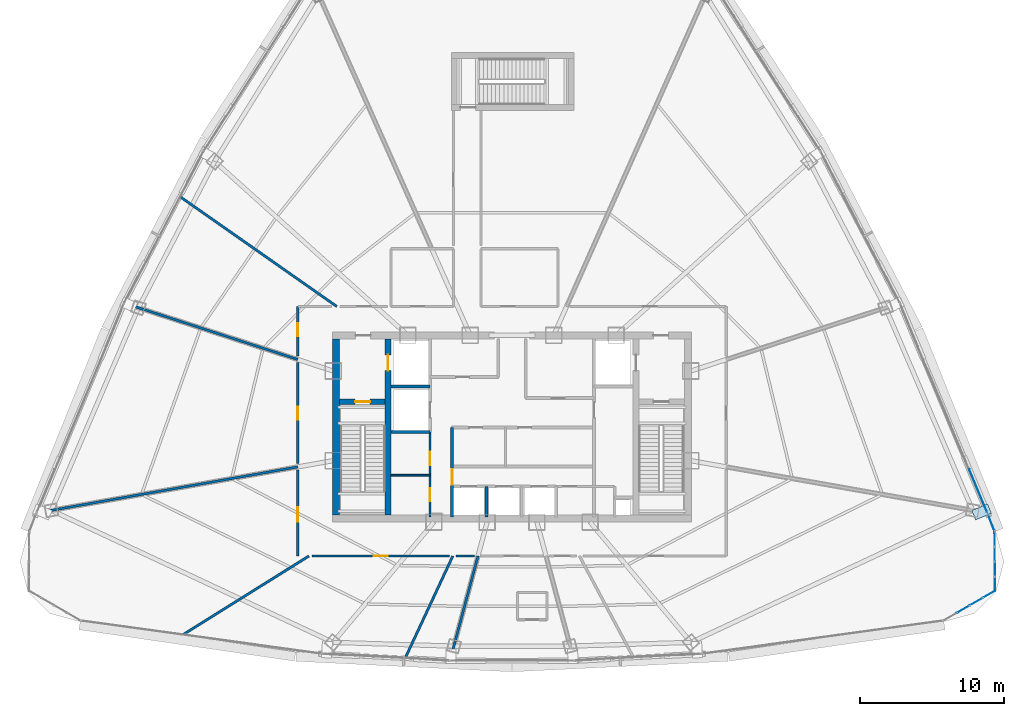
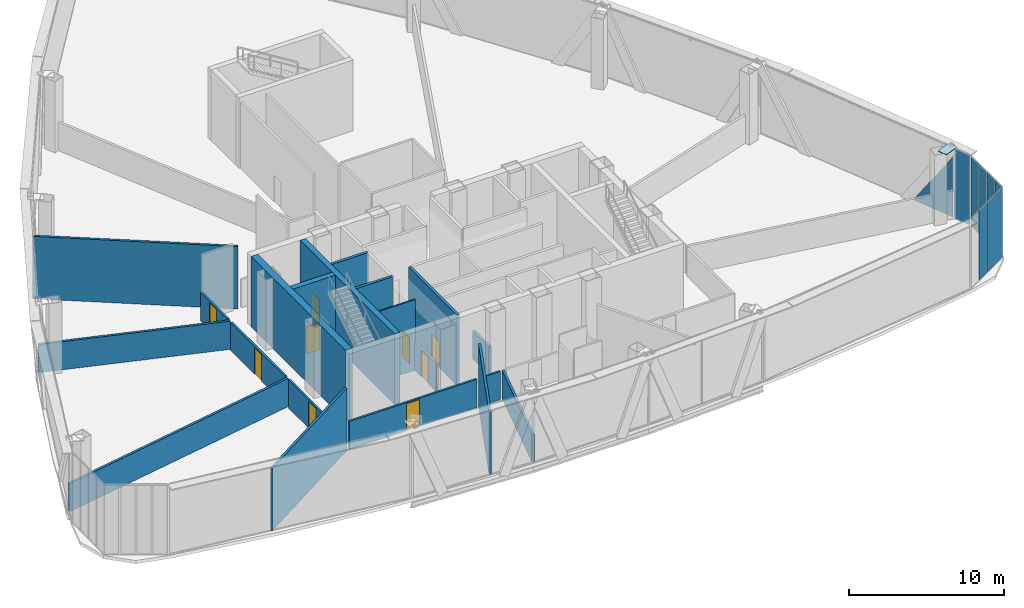
# One storey, part 31 of 38: 20 walls, 10 plates, 9 doors, 9 openings, 4 elements without a shape of their own.
"""IFC4 building model written with IfcOpenShell, lengths in metres."""

from ifc_helpers import new_model, si_unit, direction, frame, frame_2d, origin, origin_with_axes, origin_2d, place, context, subcontext, project, spatial, polyline, rectangle, outline, extrude, source, transform, mapped, material, layer, layer_set, type_object, element, fill, aggregate, save


model = new_model("IFC4")

# Units and contexts
model_context = context("Model", 3, precision=1e-05, world=origin(), true_north=direction((0.0, 1.0)))
body_context = subcontext(model_context, "Body", "Model", "MODEL_VIEW")
ifc_project = project(units=[si_unit("LENGTHUNIT", "METRE"), si_unit("AREAUNIT", "SQUARE_METRE"), si_unit("VOLUMEUNIT", "CUBIC_METRE"), si_unit("PLANEANGLEUNIT", "RADIAN"), si_unit("MASSUNIT", "GRAM", prefix="KILO"), si_unit("THERMODYNAMICTEMPERATUREUNIT", "KELVIN"), si_unit("POWERUNIT", "WATT")], contexts=[model_context])

# Site, building, storey
site_placement = place(None, origin())
site = spatial("IfcSite", under=ifc_project, at=site_placement, CompositionType="ELEMENT")
building_placement = place(site_placement, origin())
building = spatial("IfcBuilding", under=site, at=building_placement, Name="Yunzhuo Pagoda Commons", CompositionType="ELEMENT")
storey_placement = place(building_placement, frame((0.0, 0.0, 266.909912109375)))
storey = spatial("IfcBuildingStorey", under=building, at=storey_placement, Name="L67", CompositionType="ELEMENT", Elevation=266.909912109375)

# Curtain wall, plate
ifc_material_1 = material(Name="Anodized aluminium 6063-T6", Category="aluminium")
ifc_layer_1 = layer(ifc_material_1, 0.139892578125)
ifc_layer_set_1 = layer_set([ifc_layer_1], Name="Anodized aluminium 6063-T6")
curtain_wall_type_1 = type_object("IfcCurtainWallType", Name="CW-HI High-Zone Ribbon Curtain Wall", PredefinedType="NOTDEFINED", material=ifc_layer_set_1)
curtain_wall_1_placement = place(storey_placement, origin())
curtain_wall_1 = element("IfcCurtainWall", 1, at=curtain_wall_1_placement, inside=storey, type_object=curtain_wall_type_1, Name="L67 curtain wall CW-L67-F2B2", PredefinedType="NOTDEFINED")
ifc_material_2 = material(Name="Tempered low-e double glazing", Category="glass")
ifc_layer_2 = layer(ifc_material_2, 0.02587890625)
ifc_layer_set_2 = layer_set([ifc_layer_2], Name="Tempered low-e double glazing")
plate_type_1 = type_object("IfcPlateType", Name="CW-HI-P Low-E Double Glazing 26", PredefinedType="CURTAIN_PANEL", material=ifc_layer_set_2)
plate_1_placement = place(storey_placement, frame((80.31396484375, 29.418212890625, 2.428955078125), z_axis=(0.922909845486, 0.385016125772, 0.0), x_axis=(-0.385016125772, 0.922909845486, 0.0)))
plate_1 = element("IfcPlate", 2, at=plate_1_placement, type_object=plate_type_1, Name="CW panel 1.1 lite 1", PredefinedType="CURTAIN_PANEL", context=body_context, shape_type="SweptSolid", body=[
    extrude(outline(polyline([(-1.605224609375, -2.373779296875), (1.605224609375, -2.373779296875), (-1.605224609375, 2.3740234375), (-1.605224609375, -2.373779296875)])), origin(), (0.0, 0.0, 1.0), 0.028076171875),
])
aggregate(curtain_wall_1, [plate_1])

# Plate
ifc_material_3 = material(Name="Structural steel Q355B", Category="steel")
ifc_layer_3 = layer(ifc_material_3, 0.028076171875)
ifc_layer_set_3 = layer_set([ifc_layer_3], Name="Structural steel Q355B")
plate_type_2 = type_object("IfcPlateType", Name="SP-ND1 Lattice Node Cap Plate 800x500x28", PredefinedType="USERDEFINED", material=ifc_layer_set_3)
shared_shape_1 = source(origin(), body_context, "Body", "SweptSolid", [
    extrude(rectangle(XDim=0.699951171875, YDim=1.180419921875, at=origin_2d()), origin(), (0.0, 0.0, 1.0), 0.035888671875),
])
plate_2_placement = place(storey_placement, frame((80.55908203125, 27.958984375, 5.5322265625), z_axis=(0.0, 0.0, 1.0), x_axis=(-0.385020291668, 0.922908107562, 0.0)))
element("IfcPlate", 3, at=plate_2_placement, inside=storey, type_object=plate_type_2, Name="L67 setback lattice tie plate F2.1L", ObjectType="STIFFENER_PLATE", PredefinedType="USERDEFINED", context=body_context, shape_type="MappedRepresentation", body=[
    mapped(shared_shape_1, transform((0.0, 0.0, 0.0), scale=1.0)),
])

# Curtain wall, plate
curtain_wall_2_placement = place(storey_placement, origin())
curtain_wall_2 = element("IfcCurtainWall", 4, at=curtain_wall_2_placement, inside=storey, type_object=curtain_wall_type_1, Name="L67 curtain wall CW-L67-F2B1", PredefinedType="NOTDEFINED")
shared_shape_2 = source(origin(), body_context, "Body", "SweptSolid", [
    extrude(rectangle(XDim=1.1962890625, YDim=0.028076171875, at=origin_2d()), origin(), (0.0, 0.0, 1.0), 5.4599609375),
])
plate_3_placement = place(storey_placement, frame((81.230712890625, 27.202392578125, 0.05517578125), z_axis=(0.0, 0.0, 1.0), x_axis=(-0.358123676077, 0.933674157634, 0.0)))
plate_3 = element("IfcPlate", 5, at=plate_3_placement, type_object=plate_type_1, Name="CW panel 1.1", PredefinedType="CURTAIN_PANEL", context=body_context, shape_type="MappedRepresentation", body=[
    mapped(shared_shape_2, transform((0.0, 0.0, 0.0), scale=1.0)),
])
aggregate(curtain_wall_2, [plate_3])

ifc_layer_4 = layer(ifc_material_1, 0.1298828125)
ifc_layer_set_4 = layer_set([ifc_layer_4], Name="Anodized aluminium 6063-T6")
curtain_wall_type_2 = type_object("IfcCurtainWallType", Name="CW-VTX Rounded Corner Curtain Wall", PredefinedType="NOTDEFINED", material=ifc_layer_set_4)
curtain_wall_3_placement = place(storey_placement, origin())
curtain_wall_3 = element("IfcCurtainWall", 6, at=curtain_wall_3_placement, inside=storey, type_object=curtain_wall_type_2, Name="L67 curtain wall CW-L67-VTX2S1", PredefinedType="NOTDEFINED")
ifc_layer_5 = layer(ifc_material_2, 0.02587890625)
ifc_layer_set_5 = layer_set([ifc_layer_5], Name="Tempered low-e double glazing")
plate_type_3 = type_object("IfcPlateType", Name="CW-VTX-P Low-E Double Glazing 26", PredefinedType="CURTAIN_PANEL", material=ifc_layer_set_5)
shared_shape_3 = source(origin(), body_context, "Body", "SweptSolid", [
    extrude(rectangle(XDim=0.955810546875, YDim=0.028076171875, at=origin_2d()), origin(), (0.0, 0.0, 1.0), 5.4599609375),
])
plate_4_placement = place(storey_placement, frame((81.06005859375, 22.2373046875, 0.05517578125), z_axis=(0.0, 0.0, 1.0), x_axis=(0.865431780539, 0.501026778958, 0.0)))
plate_4 = element("IfcPlate", 7, at=plate_4_placement, type_object=plate_type_3, Name="CW panel 4.1", PredefinedType="CURTAIN_PANEL", context=body_context, shape_type="MappedRepresentation", body=[
    mapped(shared_shape_3, transform((0.0, 0.0, 0.0), scale=1.0)),
])

# Curtain wall, plates
curtain_wall_4_placement = place(storey_placement, origin())
curtain_wall_4 = element("IfcCurtainWall", 8, at=curtain_wall_4_placement, inside=storey, type_object=curtain_wall_type_2, Name="L67 curtain wall CW-L67-VTX2S2", PredefinedType="NOTDEFINED")
plate_5_placement = place(storey_placement, frame((81.4794921875, 22.9677734375, 0.05517578125), z_axis=(0.0, 0.0, 1.0), x_axis=(-0.003587744782, 0.999993564023, 0.0)))
plate_5 = element("IfcPlate", 9, at=plate_5_placement, type_object=plate_type_3, Name="CW panel 1.1", PredefinedType="CURTAIN_PANEL", context=body_context, shape_type="MappedRepresentation", body=[
    mapped(shared_shape_3, transform((0.0, 0.0, 0.0), scale=1.0)),
])
plate_6_placement = place(storey_placement, frame((81.46826171875, 26.054931640625, 0.05517578125), z_axis=(0.0, 0.0, 1.0), x_axis=(-0.003587744782, 0.999993564023, 0.0)))
plate_6 = element("IfcPlate", 10, at=plate_6_placement, type_object=plate_type_3, Name="CW panel 4.1", PredefinedType="CURTAIN_PANEL", context=body_context, shape_type="MappedRepresentation", body=[
    mapped(shared_shape_3, transform((0.0, 0.0, 0.0), scale=1.0)),
])

# Plate
shared_shape_4 = source(origin(), body_context, "Body", "SweptSolid", [
    extrude(rectangle(XDim=0.983154296875, YDim=0.028076171875, at=origin_2d()), origin(), (0.0, 0.0, 1.0), 5.4599609375),
])
plate_7_placement = place(storey_placement, frame((79.27490234375, 21.203857421875, 0.05517578125), z_axis=(0.0, 0.0, 1.0), x_axis=(0.865431780539, 0.501026778958, 0.0)))
plate_7 = element("IfcPlate", 11, at=plate_7_placement, type_object=plate_type_3, Name="CW panel 2.1", PredefinedType="CURTAIN_PANEL", context=body_context, shape_type="MappedRepresentation", body=[
    mapped(shared_shape_4, transform((0.0, 0.0, 0.0), scale=1.0)),
])

plate_8_placement = place(storey_placement, frame((80.17333984375, 21.72412109375, 0.05517578125), z_axis=(0.0, 0.0, 1.0), x_axis=(0.865431780539, 0.501026778958, 0.0)))
plate_8 = element("IfcPlate", 12, at=plate_8_placement, type_object=plate_type_3, Name="CW panel 3.1", PredefinedType="CURTAIN_PANEL", context=body_context, shape_type="MappedRepresentation", body=[
    mapped(shared_shape_4, transform((0.0, 0.0, 0.0), scale=1.0)),
])

aggregate(curtain_wall_3, [plate_7, plate_8, plate_4])

plate_9_placement = place(storey_placement, frame((81.475830078125, 23.9921875, 0.05517578125), z_axis=(0.0, 0.0, 1.0), x_axis=(-0.003587744782, 0.999993564023, 0.0)))
plate_9 = element("IfcPlate", 13, at=plate_9_placement, type_object=plate_type_3, Name="CW panel 2.1", PredefinedType="CURTAIN_PANEL", context=body_context, shape_type="MappedRepresentation", body=[
    mapped(shared_shape_4, transform((0.0, 0.0, 0.0), scale=1.0)),
])

plate_10_placement = place(storey_placement, frame((81.471923828125, 25.030517578125, 0.05517578125), z_axis=(0.0, 0.0, 1.0), x_axis=(-0.003587744782, 0.999993564023, 0.0)))
plate_10 = element("IfcPlate", 14, at=plate_10_placement, type_object=plate_type_3, Name="CW panel 3.1", PredefinedType="CURTAIN_PANEL", context=body_context, shape_type="MappedRepresentation", body=[
    mapped(shared_shape_4, transform((0.0, 0.0, 0.0), scale=1.0)),
])

aggregate(curtain_wall_4, [plate_5, plate_9, plate_10, plate_6])

# Wall
ifc_material_4 = material(Name="Concrete C50", Category="concrete")
ifc_layer_6 = layer(ifc_material_4, 0.5)
ifc_layer_set_6 = layer_set([ifc_layer_6], Name="Concrete C50")
wall_type_1 = type_object("IfcWallType", Name="W-C03 Upper Core Shear Wall 500", PredefinedType="SHEAR", material=ifc_layer_set_6)
wall_1_placement = place(storey_placement, frame((35.800048828125, 27.75, 0.0), z_axis=(0.0, 0.0, 1.0), x_axis=(0.0, 1.0, 0.0)))
element("IfcWall", 15, at=wall_1_placement, inside=storey, type_object=wall_type_1, Name="L67 core shear wall W", PredefinedType="SHEAR", context=body_context, shape_type="SweptSolid", body=[
    extrude(rectangle(XDim=12.199951171875, YDim=0.5, at=frame_2d((6.10009765625, 0.0))), origin(), (0.0, 0.0, 1.0), 5.570068359375),
])

# Wall, openings, doors
ifc_material_5 = material(Name="Gypsum plasterboard on acoustic stud")
ifc_layer_7 = layer(ifc_material_5, 0.14990234375)
ifc_layer_set_7 = layer_set([ifc_layer_7], Name="Gypsum plasterboard on acoustic stud")
wall_type_2 = type_object("IfcWallType", Name="W-COR3 High-Zone Rated Corridor Wall 150", PredefinedType="PARTITIONING", material=ifc_layer_set_7)
wall_2_placement = place(storey_placement, frame((42.320068359375, 27.60009765625, 0.0), z_axis=(0.0, 0.0, 1.0), x_axis=(0.0, 1.0, 0.0)))
wall_2 = element("IfcWall", 16, at=wall_2_placement, inside=storey, type_object=wall_type_2, Name="L67 interior wall IW-L67-CSWE", PredefinedType="PARTITIONING", context=body_context, shape_type="SweptSolid", body=[
    extrude(rectangle(XDim=5.89990234375, YDim=0.14990234375, at=frame_2d((2.949951171875, 0.0))), origin(), (0.0, 0.0, 1.0), 2.219970703125),
])
opening_1_placement = place(wall_2_placement, frame((1.10009765625, 0.0, 0.0)))
opening_1 = element("IfcOpeningElement", 17, at=opening_1_placement, cuts=wall_2, Name="Opening D-03", PredefinedType="OPENING", context=body_context, shape_type="SweptSolid", body=[
    extrude(rectangle(XDim=0.89990234375, YDim=2.10009765625, at=frame_2d((0.449951171875, 1.050048828125))), frame((0.0, 0.0849609375, 0.0), z_axis=(0.0, -1.0, 0.0), x_axis=(1.0, 0.0, 0.0)), (0.0, 0.0, 1.0), 0.169921875),
])
opening_2_placement = place(wall_2_placement, frame((3.60009765625, 0.0, 0.0)))
opening_2 = element("IfcOpeningElement", 18, at=opening_2_placement, cuts=wall_2, Name="Opening D-11", PredefinedType="OPENING", context=body_context, shape_type="SweptSolid", body=[
    extrude(rectangle(XDim=0.93994140625, YDim=2.10009765625, at=frame_2d((0.469970703125, 1.050048828125))), frame((0.0, 0.0849609375, 0.0), z_axis=(0.0, -1.0, 0.0), x_axis=(1.0, 0.0, 0.0)), (0.0, 0.0, 1.0), 0.169921875),
])
ifc_material_6 = material(Name="Galvanized fire-resisting metal leaf")
door_type_1 = type_object("IfcDoorType", Name="D-03 Core Service Fire Door 900x2100", OperationType="NOTDEFINED", PredefinedType="DOOR", material=ifc_material_6)
shared_shape_5 = source(origin(), body_context, "Body", "SweptSolid", [
    extrude(rectangle(XDim=0.89990234375, YDim=2.10009765625, at=frame_2d((0.449951171875, 1.050048828125))), frame((0.0, 0.02490234375, 0.0), z_axis=(0.0, -1.0, 0.0), x_axis=(1.0, 0.0, 0.0)), (0.0, 0.0, 1.0), 0.050048828125),
])
door_1_placement = place(opening_1_placement, origin_with_axes())
door_1 = element("IfcDoor", 19, at=door_1_placement, inside=storey, type_object=door_type_1, Name="L67 housekeeping door", OperationType="SINGLE_SWING_RIGHT", OverallHeight=2.10009765625, OverallWidth=0.89990234375, PredefinedType="DOOR", context=body_context, shape_type="MappedRepresentation", body=[
    mapped(shared_shape_5, transform((0.0, 0.0, 0.0), scale=1.0)),
])
fill(opening_1, door_1)
door_type_2 = type_object("IfcDoorType", Name="D-11 Accessible Washroom Fire Door 940x2100", OperationType="NOTDEFINED", PredefinedType="DOOR", material=ifc_material_6)
shared_shape_6 = source(origin(), body_context, "Body", "SweptSolid", [
    extrude(rectangle(XDim=0.93994140625, YDim=2.10009765625, at=frame_2d((0.469970703125, 1.050048828125))), frame((0.0, 0.02490234375, 0.0), z_axis=(0.0, -1.0, 0.0), x_axis=(1.0, 0.0, 0.0)), (0.0, 0.0, 1.0), 0.050048828125),
])
door_2_placement = place(opening_2_placement, origin_with_axes())
door_2 = element("IfcDoor", 20, at=door_2_placement, inside=storey, type_object=door_type_2, Name="L67 core WC door", OperationType="SINGLE_SWING_RIGHT", OverallHeight=2.10009765625, OverallWidth=0.93994140625, PredefinedType="DOOR", context=body_context, shape_type="MappedRepresentation", body=[
    mapped(shared_shape_6, transform((0.0, 0.0, 0.0), scale=1.0)),
])
fill(opening_2, door_2)

# Wall, opening, door
wall_3_placement = place(storey_placement, frame((33.14990234375, 24.89990234375, 0.0), z_axis=(0.0, 0.0, 1.0), x_axis=(0.0, 1.0, 0.0)))
wall_3 = element("IfcWall", 21, at=wall_3_placement, inside=storey, type_object=wall_type_2, Name="L67 interior wall IW-L67-CWL01", PredefinedType="PARTITIONING", context=body_context, shape_type="SweptSolid", body=[
    extrude(rectangle(XDim=5.958251953125, YDim=0.14990234375, at=frame_2d((2.97900390625, 0.0))), origin(), (0.0, 0.0, 1.0), 2.219970703125),
])
opening_3_placement = place(wall_3_placement, frame((2.3857421875, 0.0, 0.0)))
opening_3 = element("IfcOpeningElement", 22, at=opening_3_placement, cuts=wall_3, Name="Opening D-08", PredefinedType="OPENING", context=body_context, shape_type="SweptSolid", body=[
    extrude(rectangle(XDim=0.97998046875, YDim=2.1201171875, at=frame_2d((0.489990234375, 1.06005859375))), frame((0.0, 0.0849609375, 0.0), z_axis=(0.0, -1.0, 0.0), x_axis=(1.0, 0.0, 0.0)), (0.0, 0.0, 1.0), 0.169921875),
])
door_type_3 = type_object("IfcDoorType", Name="D-08 High-Zone Suite Entrance Fire Door 980x2120", OperationType="NOTDEFINED", PredefinedType="DOOR", material=ifc_material_6)
shared_shape_7 = source(origin(), body_context, "Body", "SweptSolid", [
    extrude(rectangle(XDim=0.97998046875, YDim=2.1201171875, at=frame_2d((0.489990234375, 1.06005859375))), frame((0.0, 0.02490234375, 0.0), z_axis=(0.0, -1.0, 0.0), x_axis=(1.0, 0.0, 0.0)), (0.0, 0.0, 1.0), 0.050048828125),
])
door_3_placement = place(opening_3_placement, origin_with_axes())
door_3 = element("IfcDoor", 23, at=door_3_placement, inside=storey, type_object=door_type_3, Name="L67 unit 07 entrance door", OperationType="SINGLE_SWING_RIGHT", OverallHeight=2.1201171875, OverallWidth=0.97998046875, PredefinedType="DOOR", context=body_context, shape_type="MappedRepresentation", body=[
    mapped(shared_shape_7, transform((0.0, 0.0, 0.0), scale=1.0)),
])
fill(opening_3, door_3)

wall_4_placement = place(storey_placement, frame((33.14990234375, 31.30126953125, 0.0), z_axis=(0.0, 0.0, 1.0), x_axis=(0.0, 1.0, 0.0)))
wall_4 = element("IfcWall", 24, at=wall_4_placement, inside=storey, type_object=wall_type_2, Name="L67 interior wall IW-L67-CWL02", PredefinedType="PARTITIONING", context=body_context, shape_type="SweptSolid", body=[
    extrude(rectangle(XDim=7.004150390625, YDim=0.14990234375, at=frame_2d((3.501953125, 0.0))), origin(), (0.0, 0.0, 1.0), 2.219970703125),
])
opening_4_placement = place(wall_4_placement, frame((3.0419921875, 0.0, 0.0)))
opening_4 = element("IfcOpeningElement", 25, at=opening_4_placement, cuts=wall_4, Name="Opening D-04", PredefinedType="OPENING", context=body_context, shape_type="SweptSolid", body=[
    extrude(rectangle(XDim=0.919921875, YDim=2.10009765625, at=frame_2d((0.4599609375, 1.050048828125))), frame((0.0, 0.0849609375, 0.0), z_axis=(0.0, -1.0, 0.0), x_axis=(1.0, 0.0, 0.0)), (0.0, 0.0, 1.0), 0.169921875),
])
ifc_material_7 = material(Name="Powder-coated aluminium and timber acoustic leaf", Category="wood")
door_type_4 = type_object("IfcDoorType", Name="D-04 Bedroom & Study Interior Door 920x2100", OperationType="NOTDEFINED", PredefinedType="DOOR", material=ifc_material_7)
shared_shape_8 = source(origin(), body_context, "Body", "SweptSolid", [
    extrude(rectangle(XDim=0.919921875, YDim=2.10009765625, at=frame_2d((0.4599609375, 1.050048828125))), frame((0.0, 0.02490234375, 0.0), z_axis=(0.0, -1.0, 0.0), x_axis=(1.0, 0.0, 0.0)), (0.0, 0.0, 1.0), 0.050048828125),
])
door_4_placement = place(opening_4_placement, origin_with_axes())
door_4 = element("IfcDoor", 26, at=door_4_placement, inside=storey, type_object=door_type_4, Name="L67 seminar room 06 door", OperationType="SINGLE_SWING_LEFT", OverallHeight=2.10009765625, OverallWidth=0.919921875, PredefinedType="DOOR", context=body_context, shape_type="MappedRepresentation", body=[
    mapped(shared_shape_8, transform((0.0, 0.0, 0.0), scale=1.0)),
])
fill(opening_4, door_4)

wall_5_placement = place(storey_placement, frame((33.14990234375, 38.75634765625, 0.0), z_axis=(0.0, 0.0, 1.0), x_axis=(0.0, 1.0, 0.0)))
wall_5 = element("IfcWall", 27, at=wall_5_placement, inside=storey, type_object=wall_type_2, Name="L67 interior wall IW-L67-CWL03", PredefinedType="PARTITIONING", context=body_context, shape_type="SweptSolid", body=[
    extrude(rectangle(XDim=3.443603515625, YDim=0.14990234375, at=frame_2d((1.7216796875, 0.0))), origin(), (0.0, 0.0, 1.0), 2.219970703125),
])
opening_5_placement = place(wall_5_placement, frame((1.376220703125, 0.0, 0.0)))
opening_5 = element("IfcOpeningElement", 28, at=opening_5_placement, cuts=wall_5, Name="Opening D-04", PredefinedType="OPENING", context=body_context, shape_type="SweptSolid", body=[
    extrude(rectangle(XDim=0.919921875, YDim=2.10009765625, at=frame_2d((0.4599609375, 1.050048828125))), frame((0.0, 0.0849609375, 0.0), z_axis=(0.0, -1.0, 0.0), x_axis=(1.0, 0.0, 0.0)), (0.0, 0.0, 1.0), 0.169921875),
])
door_5_placement = place(opening_5_placement, origin_with_axes())
door_5 = element("IfcDoor", 29, at=door_5_placement, inside=storey, type_object=door_type_4, Name="L67 seminar room 05 door", OperationType="SINGLE_SWING_RIGHT", OverallHeight=2.10009765625, OverallWidth=0.919921875, PredefinedType="DOOR", context=body_context, shape_type="MappedRepresentation", body=[
    mapped(shared_shape_8, transform((0.0, 0.0, 0.0), scale=1.0)),
])
fill(opening_5, door_5)

# Wall
wall_6_placement = place(storey_placement, frame((45.414306640625, 24.89990234375, 0.0), z_axis=(0.0, 0.0, 1.0), x_axis=(-1.0, 0.0, 0.0)))
element("IfcWall", 30, at=wall_6_placement, inside=storey, type_object=wall_type_2, Name="L67 interior wall IW-L67-CWL15", PredefinedType="PARTITIONING", context=body_context, shape_type="SweptSolid", body=[
    extrude(rectangle(XDim=1.298095703125, YDim=0.14990234375, at=frame_2d((0.64892578125, 0.0))), origin(), (0.0, 0.0, 1.0), 2.219970703125),
])

# Wall, opening, door
wall_7_placement = place(storey_placement, frame((43.65380859375, 24.89990234375, 0.0), z_axis=(0.0, 0.0, 1.0), x_axis=(-1.0, 0.0, 0.0)))
wall_7 = element("IfcWall", 31, at=wall_7_placement, inside=storey, type_object=wall_type_2, Name="L67 interior wall IW-L67-CWL16", PredefinedType="PARTITIONING", context=body_context, shape_type="SweptSolid", body=[
    extrude(rectangle(XDim=9.516845703125, YDim=0.14990234375, at=frame_2d((4.75830078125, 0.0))), origin(), (0.0, 0.0, 1.0), 2.219970703125),
])
opening_6_placement = place(wall_7_placement, frame((4.27197265625, 0.0, 0.0)))
opening_6 = element("IfcOpeningElement", 32, at=opening_6_placement, cuts=wall_7, Name="Opening D-08", PredefinedType="OPENING", context=body_context, shape_type="SweptSolid", body=[
    extrude(rectangle(XDim=0.97998046875, YDim=2.1201171875, at=frame_2d((0.489990234375, 1.06005859375))), frame((0.0, 0.0849609375, 0.0), z_axis=(0.0, -1.0, 0.0), x_axis=(1.0, 0.0, 0.0)), (0.0, 0.0, 1.0), 0.169921875),
])
door_6_placement = place(opening_6_placement, origin_with_axes())
door_6 = element("IfcDoor", 33, at=door_6_placement, inside=storey, type_object=door_type_3, Name="L67 Academic Reading Commons 2 door", OperationType="SINGLE_SWING_LEFT", OverallHeight=2.1201171875, OverallWidth=0.97998046875, PredefinedType="DOOR", context=body_context, shape_type="MappedRepresentation", body=[
    mapped(shared_shape_7, transform((0.0, 0.0, 0.0), scale=1.0)),
])
fill(opening_6, door_6)

# Walls
ifc_layer_8 = layer(ifc_material_5, 0.1201171875)
ifc_layer_set_8 = layer_set([ifc_layer_8], Name="Gypsum plasterboard on acoustic stud")
wall_type_3 = type_object("IfcWallType", Name="W-PRT1 Suite & Bathroom Partition 120", PredefinedType="PARTITIONING", material=ifc_layer_set_8)
wall_8_placement = place(storey_placement, frame((39.60009765625, 30.5, 0.0), z_axis=(0.0, 0.0, 1.0), x_axis=(1.0, 0.0, 0.0)))
element("IfcWall", 34, at=wall_8_placement, inside=storey, type_object=wall_type_3, Name="L67 interior wall IW-L67-CB1", PredefinedType="PARTITIONING", context=body_context, shape_type="SweptSolid", body=[
    extrude(rectangle(XDim=2.719970703125, YDim=0.1201171875, at=frame_2d((1.35986328125, 0.0))), origin(), (0.0, 0.0, 1.0), 5.570068359375),
])
ifc_layer_9 = layer(ifc_material_5, 0.169921875)
ifc_layer_set_9 = layer_set([ifc_layer_9], Name="Gypsum plasterboard on acoustic stud")
wall_type_4 = type_object("IfcWallType", Name="W-PRT4 High-Zone Demising Wall 170", PredefinedType="PARTITIONING", material=ifc_layer_set_9)
wall_9_placement = place(storey_placement, frame((35.860595703125, 42.199951171875, 0.0), z_axis=(0.0, 0.0, 1.0), x_axis=(-0.819147381932, 0.57358309483, 0.0)))
element("IfcWall", 35, at=wall_9_placement, inside=storey, type_object=wall_type_4, Name="L67 interior wall IW-L67-RAD04", PredefinedType="PARTITIONING", context=body_context, shape_type="SweptSolid", body=[
    extrude(rectangle(XDim=13.29736328125, YDim=0.169921875, at=frame_2d((6.648681640625, 0.0))), origin(), (0.0, 0.0, 1.0), 4.920166015625),
])
wall_10_placement = place(storey_placement, frame((33.14990234375, 38.525146484375, 0.0), z_axis=(0.0, 0.0, 1.0), x_axis=(-0.951057436246, 0.309014163043, 0.0)))
element("IfcWall", 36, at=wall_10_placement, inside=storey, type_object=wall_type_4, Name="L67 interior wall IW-L67-RAD05", PredefinedType="PARTITIONING", context=body_context, shape_type="SweptSolid", body=[
    extrude(rectangle(XDim=12.6669921875, YDim=0.169921875, at=frame_2d((6.33349609375, 0.0))), origin(), (0.0, 0.0, 1.0), 2.219970703125),
])
wall_11_placement = place(storey_placement, frame((33.14990234375, 31.08154296875, 0.0), z_axis=(0.0, 0.0, 1.0), x_axis=(-0.984806394916, -0.173655879639, 0.0)))
element("IfcWall", 37, at=wall_11_placement, inside=storey, type_object=wall_type_4, Name="L67 interior wall IW-L67-RAD06", PredefinedType="PARTITIONING", context=body_context, shape_type="SweptSolid", body=[
    extrude(rectangle(XDim=18.3974609375, YDim=0.169921875, at=frame_2d((9.19873046875, 0.0))), origin(), (0.0, 0.0, 1.0), 2.219970703125),
])
wall_12_placement = place(storey_placement, frame((33.9169921875, 24.89990234375, 0.0), z_axis=(0.0, 0.0, 1.0), x_axis=(-0.848046300914, -0.529922137211, 0.0)))
element("IfcWall", 38, at=wall_12_placement, inside=storey, type_object=wall_type_4, Name="L67 interior wall IW-L67-RAD07", PredefinedType="PARTITIONING", context=body_context, shape_type="SweptSolid", body=[
    extrude(rectangle(XDim=10.28662109375, YDim=0.169921875, at=frame_2d((5.143310546875, 0.0))), origin(), (0.0, 0.0, 1.0), 4.920166015625),
])
wall_13_placement = place(storey_placement, frame((43.896484375, 24.89990234375, 0.0), z_axis=(0.0, 0.0, 1.0), x_axis=(-0.422631029952, -0.906301833012, 0.0)))
element("IfcWall", 39, at=wall_13_placement, inside=storey, type_object=wall_type_4, Name="L67 interior wall IW-L67-RAD08", PredefinedType="PARTITIONING", context=body_context, shape_type="SweptSolid", body=[
    extrude(rectangle(XDim=7.827392578125, YDim=0.169921875, at=frame_2d((3.91357421875, 0.0))), origin(), (0.0, 0.0, 1.0), 4.920166015625),
])
wall_14_placement = place(storey_placement, frame((45.64208984375, 24.89990234375, 0.0), z_axis=(0.0, 0.0, 1.0), x_axis=(-0.258810769147, -0.965928043787, 0.0)))
element("IfcWall", 40, at=wall_14_placement, inside=storey, type_object=wall_type_4, Name="L67 interior wall IW-L67-RAD09", PredefinedType="PARTITIONING", context=body_context, shape_type="SweptSolid", body=[
    extrude(rectangle(XDim=7.516357421875, YDim=0.169921875, at=frame_2d((3.75830078125, 0.0))), origin(), (0.0, 0.0, 1.0), 2.219970703125),
])

# Wall, opening, door
ifc_material_8 = material(Name="Concrete C60", Category="concrete")
ifc_layer_10 = layer(ifc_material_8, 0.39990234375)
ifc_layer_set_10 = layer_set([ifc_layer_10], Name="Concrete C60")
wall_type_5 = type_object("IfcWallType", Name="W-S01 Internal Core Shear Web 400", PredefinedType="SHEAR", material=ifc_layer_set_10)
wall_15_placement = place(storey_placement, frame((39.39990234375, 27.75, 0.0), z_axis=(0.0, 0.0, 1.0), x_axis=(0.0, 1.0, 0.0)))
wall_15 = element("IfcWall", 41, at=wall_15_placement, inside=storey, type_object=wall_type_5, Name="L67 core shear wall WEBW", PredefinedType="SHEAR", context=body_context, shape_type="SweptSolid", body=[
    extrude(rectangle(XDim=12.199951171875, YDim=0.39990234375, at=frame_2d((6.10009765625, 0.0))), origin(), (0.0, 0.0, 1.0), 5.570068359375),
])
opening_7_placement = place(wall_15_placement, frame((10.0, 0.0, 0.0)))
opening_7 = element("IfcOpeningElement", 42, at=opening_7_placement, cuts=wall_15, Name="Opening LD-01", PredefinedType="OPENING", context=body_context, shape_type="SweptSolid", body=[
    extrude(rectangle(XDim=1.10009765625, YDim=2.10009765625, at=frame_2d((0.550048828125, 1.050048828125))), frame((0.0, 0.2099609375, 0.0), z_axis=(0.0, -1.0, 0.0), x_axis=(1.0, 0.0, 0.0)), (0.0, 0.0, 1.0), 0.419921875),
])
door_type_5 = type_object("IfcDoorType", Name="LD-01 Firefighting Lift Landing Door 1100x2100", OperationType="DOUBLE_DOOR_SLIDING", PredefinedType="DOOR", material=ifc_material_6)
shared_shape_9 = source(origin(), body_context, "Body", "SweptSolid", [
    extrude(rectangle(XDim=1.10009765625, YDim=2.10009765625, at=frame_2d((0.550048828125, 1.050048828125))), frame((0.0, 0.02490234375, 0.0), z_axis=(0.0, -1.0, 0.0), x_axis=(1.0, 0.0, 0.0)), (0.0, 0.0, 1.0), 0.050048828125),
])
door_7_placement = place(opening_7_placement, frame((1.10009765625, 0.0, 0.0), z_axis=(0.0, 0.0, 1.0), x_axis=(-1.0, 0.0, 0.0)))
door_7 = element("IfcDoor", 43, at=door_7_placement, inside=storey, type_object=door_type_5, Name="L67 Firefighting lift FL-1 landing door", OperationType="DOUBLE_DOOR_SLIDING", OverallHeight=2.10009765625, OverallWidth=1.10009765625, PredefinedType="DOOR", context=body_context, shape_type="MappedRepresentation", body=[
    mapped(shared_shape_9, transform((0.0, 0.0, 0.0), scale=1.0)),
])
fill(opening_7, door_7)

wall_16_placement = place(storey_placement, frame((36.050048828125, 35.60009765625, 0.0), z_axis=(0.0, 0.0, 1.0), x_axis=(1.0, 0.0, 0.0)))
wall_16 = element("IfcWall", 44, at=wall_16_placement, inside=storey, type_object=wall_type_5, Name="L67 core shear wall STW", PredefinedType="SHEAR", context=body_context, shape_type="SweptSolid", body=[
    extrude(rectangle(XDim=3.14990234375, YDim=0.39990234375, at=frame_2d((1.574951171875, 0.0))), origin(), (0.0, 0.0, 1.0), 5.570068359375),
])
opening_8_placement = place(wall_16_placement, frame((1.070068359375, 0.0, 0.0)))
opening_8 = element("IfcOpeningElement", 45, at=opening_8_placement, cuts=wall_16, Name="Opening D-01", PredefinedType="OPENING", context=body_context, shape_type="SweptSolid", body=[
    extrude(rectangle(XDim=1.050048828125, YDim=2.10009765625, at=frame_2d((0.52490234375, 1.050048828125))), frame((0.0, 0.2099609375, 0.0), z_axis=(0.0, -1.0, 0.0), x_axis=(1.0, 0.0, 0.0)), (0.0, 0.0, 1.0), 0.419921875),
])
door_type_6 = type_object("IfcDoorType", Name="D-01 Smokeproof Stair Fire Door 1050x2100", OperationType="NOTDEFINED", PredefinedType="DOOR", material=ifc_material_6)
shared_shape_10 = source(origin(), body_context, "Body", "SweptSolid", [
    extrude(rectangle(XDim=1.050048828125, YDim=2.10009765625, at=frame_2d((0.52490234375, 1.050048828125))), frame((0.0, 0.02490234375, 0.0), z_axis=(0.0, -1.0, 0.0), x_axis=(1.0, 0.0, 0.0)), (0.0, 0.0, 1.0), 0.050048828125),
])
door_8_placement = place(opening_8_placement, frame((1.050048828125, 0.0, 0.0), z_axis=(0.0, 0.0, 1.0), x_axis=(-1.0, 0.0, 0.0)))
door_8 = element("IfcDoor", 46, at=door_8_placement, inside=storey, type_object=door_type_6, Name="L67 Stair ST1 fire door", OperationType="SINGLE_SWING_LEFT", OverallHeight=2.10009765625, OverallWidth=1.050048828125, PredefinedType="DOOR", context=body_context, shape_type="MappedRepresentation", body=[
    mapped(shared_shape_10, transform((0.0, 0.0, 0.0), scale=1.0)),
])
fill(opening_8, door_8)

# Walls
ifc_material_9 = material(Name="Concrete C40", Category="concrete")
ifc_layer_11 = layer(ifc_material_9, 0.199951171875)
ifc_layer_set_11 = layer_set([ifc_layer_11], Name="Concrete C40")
wall_type_6 = type_object("IfcWallType", Name="W-SHF Shaft & Stair Enclosure Wall 200", PredefinedType="SOLIDWALL", material=ifc_layer_set_11)
for number, where, z_axis, x_axis, name in (
    (47, (39.60009765625, 36.64990234375, 0.0), (0.0, 0.0, 1.0), (1.0, 0.0, 0.0), "L67 interior wall IW-L67-FL1S"),
    (48, (39.60009765625, 33.5, 0.0), (0.0, 0.0, 1.0), (1.0, 0.0, 0.0), "L67 interior wall IW-L67-SL1S"),
):
    element("IfcWall", number, at=place(storey_placement, frame(where, z_axis=z_axis, x_axis=x_axis)), inside=storey, type_object=wall_type_6, Name=name, PredefinedType="SOLIDWALL", context=body_context, shape_type="SweptSolid", body=[
        extrude(rectangle(XDim=2.719970703125, YDim=0.199951171875, at=frame_2d((1.35986328125, 0.0))), origin(), (0.0, 0.0, 1.0), 5.570068359375),
    ])

# Wall, opening, door
wall_17_placement = place(storey_placement, frame((43.85009765625, 27.60009765625, 0.0), z_axis=(0.0, 0.0, 1.0), x_axis=(0.0, 1.0, 0.0)))
wall_17 = element("IfcWall", 49, at=wall_17_placement, inside=storey, type_object=wall_type_6, Name="L67 interior wall IW-L67-PLMW", PredefinedType="SOLIDWALL", context=body_context, shape_type="SweptSolid", body=[
    extrude(rectangle(XDim=6.219970703125, YDim=0.199951171875, at=frame_2d((3.10986328125, 0.0))), origin(), (0.0, 0.0, 1.0), 5.570068359375),
])
opening_9_placement = place(wall_17_placement, frame((2.25, 0.0, 0.0)))
opening_9 = element("IfcOpeningElement", 50, at=opening_9_placement, cuts=wall_17, Name="Opening D-02", PredefinedType="OPENING", context=body_context, shape_type="SweptSolid", body=[
    extrude(rectangle(XDim=1.050048828125, YDim=2.10009765625, at=frame_2d((0.52490234375, 1.050048828125))), frame((0.0, 0.10986328125, 0.0), z_axis=(0.0, -1.0, 0.0), x_axis=(1.0, 0.0, 0.0)), (0.0, 0.0, 1.0), 0.219970703125),
])
door_type_7 = type_object("IfcDoorType", Name="D-02 Firefighting Lobby & Refuge Fire Door 1050x2100", OperationType="NOTDEFINED", PredefinedType="DOOR", material=ifc_material_6)
door_9_placement = place(opening_9_placement, frame((1.050048828125, 0.0, 0.0), z_axis=(0.0, 0.0, 1.0), x_axis=(-1.0, 0.0, 0.0)))
door_9 = element("IfcDoor", 51, at=door_9_placement, inside=storey, type_object=door_type_7, Name="L67 High-bank hall west door", OperationType="SINGLE_SWING_LEFT", OverallHeight=2.10009765625, OverallWidth=1.050048828125, PredefinedType="DOOR", context=body_context, shape_type="MappedRepresentation", body=[
    mapped(shared_shape_10, transform((0.0, 0.0, 0.0), scale=1.0)),
])
fill(opening_9, door_9)

# Wall
wall_18_placement = place(storey_placement, frame((46.22509765625, 27.60009765625, 0.0), z_axis=(0.0, 0.0, 1.0), x_axis=(0.0, 1.0, 0.0)))
element("IfcWall", 52, at=wall_18_placement, inside=storey, type_object=wall_type_6, Name="L67 interior wall IW-L67-PLHD1", PredefinedType="SOLIDWALL", context=body_context, shape_type="SweptSolid", body=[
    extrude(rectangle(XDim=2.119873046875, YDim=0.199951171875, at=frame_2d((1.06005859375, 0.0))), origin(), (0.0, 0.0, 1.0), 2.219970703125),
])

save(model, "model.ifc")
